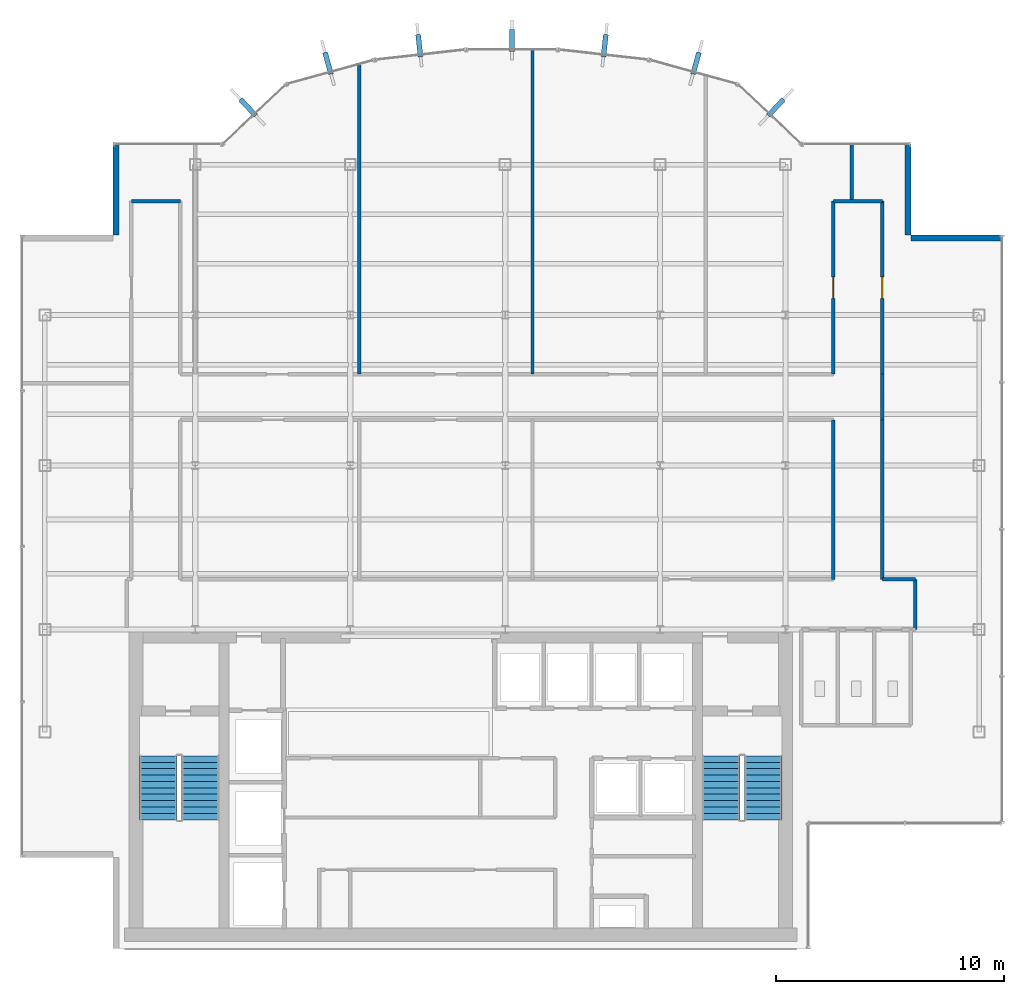
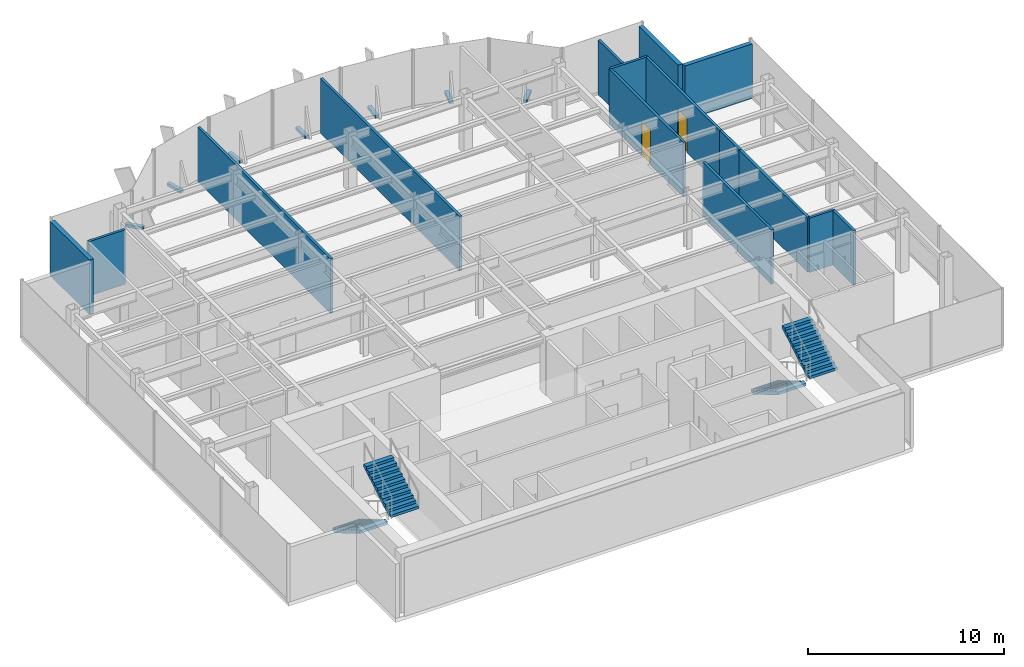
# One storey, part 19 of 22: 15 walls, 7 discrete accessories, 4 stair flights, 2 doors, 2 openings, 2 elements without a shape of their own.
"""IFC4 building model written with IfcOpenShell, lengths in metres."""

from ifc_helpers import new_model, si_unit, derived_unit, direction, frame, frame_2d, origin, origin_2d, place, context, subcontext, project, spatial, polyline, rectangle, outline, extrude, source, transform, mapped, material, layer, layer_set, type_object, element, fill, aggregate, save


model = new_model("IFC4")

# Units and contexts
model_context = context("Model", 3, precision=1e-05, world=origin(), true_north=direction((0.0, 1.0)))
body_context = subcontext(model_context, "Body", "Model", "MODEL_VIEW")
ifc_project = project(units=[si_unit("LENGTHUNIT", "METRE"), si_unit("AREAUNIT", "SQUARE_METRE"), si_unit("VOLUMEUNIT", "CUBIC_METRE"), si_unit("PLANEANGLEUNIT", "RADIAN"), si_unit("MASSUNIT", "GRAM", prefix="KILO"), derived_unit("THERMALTRANSMITTANCEUNIT", [(si_unit("POWERUNIT", "WATT"), 1), (si_unit("LENGTHUNIT", "METRE"), -2), (si_unit("THERMODYNAMICTEMPERATUREUNIT", "KELVIN"), -1)])], contexts=[model_context])

# Site, building, storey
site_placement = place(None, origin())
site = spatial("IfcSite", under=ifc_project, at=site_placement, CompositionType="ELEMENT")
building_placement = place(site_placement, origin())
building = spatial("IfcBuilding", under=site, at=building_placement, Name="Skarnbrae Concourse Arena and Tower", CompositionType="ELEMENT")
storey_placement = place(building_placement, frame((0.0, 0.0, 273.39990234375)))
storey = spatial("IfcBuildingStorey", under=building, at=storey_placement, Name="L71", CompositionType="ELEMENT", Elevation=273.39990234375)

# Walls
ifc_material_1 = material(Name="Precast concrete 40 MPa (C40/50)", Category="concrete")
ifc_layer_1 = layer(ifc_material_1, 0.25)
ifc_layer_set_1 = layer_set([ifc_layer_1], Name="Precast concrete 40 MPa (C40/50)")
wall_type_1 = type_object("IfcWallType", Name="WALL-EXT-SPANDREL-250", PredefinedType="STANDARD", material=ifc_layer_set_1)
shared_shape_1 = source(origin(), body_context, "Body", "SweptSolid", [
    extrude(rectangle(XDim=4.0, YDim=0.25, at=frame_2d((2.0, 0.0))), origin(), (0.0, 0.0, 1.0), 3.400146484375),
])
for number, where, z_axis, x_axis, name in (
    (1, (43.0, 31.175048828125, 0.0), (0.0, 0.0, 1.0), (-1.0, 0.0, 0.0), "L71 Notched corner insulated return wall 05"),
    (2, (38.875, 31.300048828125, 0.0), (0.0, 0.0, 1.0), (0.0, 1.0, 0.0), "L71 Notched corner insulated return wall 06"),
    (3, (4.125, 35.300048828125, 0.0), (0.0, 0.0, 1.0), (0.0, -1.0, 0.0), "L71 Notched corner insulated return wall 16"),
):
    element("IfcWall", number, at=place(storey_placement, frame(where, z_axis=z_axis, x_axis=x_axis)), inside=storey, type_object=wall_type_1, Name=name, PredefinedType="STANDARD", context=body_context, shape_type="MappedRepresentation", body=[
        mapped(shared_shape_1, transform((0.0, 0.0, 0.0))),
    ])
ifc_material_2 = material(Name="Gypsum board on cold-formed steel studs", Category="steel")
ifc_layer_2 = layer(ifc_material_2, 0.14990234375)
ifc_layer_set_2 = layer_set([ifc_layer_2], Name="Gypsum board on cold-formed steel studs")
wall_type_2 = type_object("IfcWallType", Name="WALL-PART-150-1HR", PredefinedType="PARTITIONING", material=ifc_layer_set_2)
shared_shape_2 = source(origin(), body_context, "Body", "SweptSolid", [
    extrude(rectangle(XDim=2.199951171875, YDim=0.14990234375, at=frame_2d((1.10009765625, 0.0))), origin(), (0.0, 0.0, 1.0), 3.400146484375),
])
wall_1_placement = place(storey_placement, frame((39.199951171875, 16.199951171875, 0.0), z_axis=(0.0, 0.0, 1.0), x_axis=(0.0, -1.0, 0.0)))
element("IfcWall", 4, at=wall_1_placement, inside=storey, type_object=wall_type_2, Name="L71 Interior partition wall W-L71-COR-15", PredefinedType="PARTITIONING", context=body_context, shape_type="MappedRepresentation", body=[
    mapped(shared_shape_2, transform((0.0, 0.0, 0.0))),
])

# Wall, opening, door
shared_shape_3 = source(origin(), body_context, "Body", "SweptSolid", [
    extrude(rectangle(XDim=7.60009765625, YDim=0.14990234375, at=frame_2d((3.800048828125, 0.0))), origin(), (0.0, 0.0, 1.0), 3.400146484375),
])
wall_2_placement = place(storey_placement, frame((35.60009765625, 25.199951171875, 0.0), z_axis=(0.0, 0.0, 1.0), x_axis=(0.0, 1.0, 0.0)))
wall_2 = element("IfcWall", 5, at=wall_2_placement, inside=storey, type_object=wall_type_2, Name="L71 Interior partition wall W-L71-COR-09", PredefinedType="PARTITIONING", context=body_context, shape_type="MappedRepresentation", body=[
    mapped(shared_shape_3, transform((0.0, 0.0, 0.0))),
])
opening_1_placement = place(wall_2_placement, frame((3.324951171875, 0.0, 0.0)))
opening_1 = element("IfcOpeningElement", 6, at=opening_1_placement, cuts=wall_2, Name="Opening DT-04", PredefinedType="OPENING", context=body_context, shape_type="SweptSolid", body=[
    extrude(rectangle(XDim=0.949951171875, YDim=2.14990234375, at=frame_2d((0.47509765625, 1.074951171875))), frame((0.0, 0.0849609375, 0.0), z_axis=(0.0, -1.0, 0.0), x_axis=(1.0, 0.0, 0.0)), (0.0, 0.0, 1.0), 0.169921875),
])
ifc_material_3 = material(Name="Steel CSA G40.21 350W", Category="steel")
door_type = type_object("IfcDoorType", Name="DOOR-INT-950-45M", OperationType="NOTDEFINED", PredefinedType="DOOR", material=ifc_material_3)
shared_shape_4 = source(origin(), body_context, "Body", "SweptSolid", [
    extrude(rectangle(XDim=0.949951171875, YDim=2.14990234375, at=frame_2d((0.47509765625, 1.074951171875))), frame((0.0, 0.02490234375, 0.0), z_axis=(0.0, -1.0, 0.0), x_axis=(1.0, 0.0, 0.0)), (0.0, 0.0, 1.0), 0.050048828125),
])
door_1_placement = place(opening_1_placement, origin())
door_1 = element("IfcDoor", 7, at=door_1_placement, inside=storey, type_object=door_type, Name="D-2168 L71 Suite Door 09", OperationType="SINGLE_SWING_LEFT", OverallHeight=2.14990234375, OverallWidth=0.949951171875, PredefinedType="DOOR", context=body_context, shape_type="MappedRepresentation", body=[
    mapped(shared_shape_4, transform((0.0, 0.0, 0.0))),
])
fill(opening_1, door_1)

wall_3_placement = place(storey_placement, frame((37.75, 32.800048828125, 0.0), z_axis=(0.0, 0.0, 1.0), x_axis=(0.0, -1.0, 0.0)))
wall_3 = element("IfcWall", 8, at=wall_3_placement, inside=storey, type_object=wall_type_2, Name="L71 Interior partition wall W-L71-COR-11", PredefinedType="PARTITIONING", context=body_context, shape_type="MappedRepresentation", body=[
    mapped(shared_shape_3, transform((0.0, 0.0, 0.0))),
])
opening_2_placement = place(wall_3_placement, frame((3.324951171875, 0.0, 0.0)))
opening_2 = element("IfcOpeningElement", 9, at=opening_2_placement, cuts=wall_3, Name="Opening DT-04", PredefinedType="OPENING", context=body_context, shape_type="SweptSolid", body=[
    extrude(rectangle(XDim=0.949951171875, YDim=2.14990234375, at=frame_2d((0.47509765625, 1.074951171875))), frame((0.0, 0.0849609375, 0.0), z_axis=(0.0, -1.0, 0.0), x_axis=(1.0, 0.0, 0.0)), (0.0, 0.0, 1.0), 0.169921875),
])
door_2_placement = place(opening_2_placement, origin())
door_2 = element("IfcDoor", 10, at=door_2_placement, inside=storey, type_object=door_type, Name="D-2169 L71 Suite Door 10", OperationType="SINGLE_SWING_RIGHT", OverallHeight=2.14990234375, OverallWidth=0.949951171875, PredefinedType="DOOR", context=body_context, shape_type="MappedRepresentation", body=[
    mapped(shared_shape_4, transform((0.0, 0.0, 0.0))),
])
fill(opening_2, door_2)

# Walls
shared_shape_5 = source(origin(), body_context, "Body", "SweptSolid", [
    extrude(rectangle(XDim=2.0, YDim=0.14990234375, at=frame_2d((1.0, 0.0))), origin(), (0.0, 0.0, 1.0), 3.400146484375),
])
wall_4_placement = place(storey_placement, frame((37.75, 25.199951171875, 0.0), z_axis=(0.0, 0.0, 1.0), x_axis=(0.0, -1.0, 0.0)))
element("IfcWall", 11, at=wall_4_placement, inside=storey, type_object=wall_type_2, Name="L71 Interior partition wall W-L71-COR-12", PredefinedType="PARTITIONING", context=body_context, shape_type="MappedRepresentation", body=[
    mapped(shared_shape_5, transform((0.0, 0.0, 0.0))),
])
shared_shape_6 = source(origin(), body_context, "Body", "SweptSolid", [
    extrude(rectangle(XDim=2.14990234375, YDim=0.14990234375, at=frame_2d((1.074951171875, 0.0))), origin(), (0.0, 0.0, 1.0), 3.400146484375),
])
for number, where, z_axis, x_axis, name in (
    (12, (4.800048828125, 32.800048828125, 0.0), (0.0, 0.0, 1.0), (1.0, 0.0, 0.0), "L71 Interior partition wall W-L71-COR-06"),
    (13, (35.60009765625, 32.800048828125, 0.0), (0.0, 0.0, 1.0), (1.0, 0.0, 0.0), "L71 Interior partition wall W-L71-COR-10"),
):
    element("IfcWall", number, at=place(storey_placement, frame(where, z_axis=z_axis, x_axis=x_axis)), inside=storey, type_object=wall_type_2, Name=name, PredefinedType="PARTITIONING", context=body_context, shape_type="MappedRepresentation", body=[
        mapped(shared_shape_6, transform((0.0, 0.0, 0.0))),
    ])
shared_shape_7 = source(origin(), body_context, "Body", "SweptSolid", [
    extrude(rectangle(XDim=1.449951171875, YDim=0.14990234375, at=frame_2d((0.72509765625, 0.0))), origin(), (0.0, 0.0, 1.0), 3.400146484375),
])
wall_5_placement = place(storey_placement, frame((37.75, 16.199951171875, 0.0), z_axis=(0.0, 0.0, 1.0), x_axis=(1.0, 0.0, 0.0)))
element("IfcWall", 14, at=wall_5_placement, inside=storey, type_object=wall_type_2, Name="L71 Interior partition wall W-L71-COR-14", PredefinedType="PARTITIONING", context=body_context, shape_type="MappedRepresentation", body=[
    mapped(shared_shape_7, transform((0.0, 0.0, 0.0))),
])
shared_shape_8 = source(origin(), body_context, "Body", "SweptSolid", [
    extrude(rectangle(XDim=7.0, YDim=0.14990234375, at=frame_2d((3.5, 0.0))), origin(), (0.0, 0.0, 1.0), 3.400146484375),
])
for number, where, z_axis, x_axis, name in (
    (15, (37.75, 23.199951171875, 0.0), (0.0, 0.0, 1.0), (0.0, -1.0, 0.0), "L71 Interior partition wall W-L71-COR-13"),
    (16, (35.60009765625, 16.199951171875, 0.0), (0.0, 0.0, 1.0), (0.0, 1.0, 0.0), "L71 Interior partition wall W-L71-COR-18"),
):
    element("IfcWall", number, at=place(storey_placement, frame(where, z_axis=z_axis, x_axis=x_axis)), inside=storey, type_object=wall_type_2, Name=name, PredefinedType="PARTITIONING", context=body_context, shape_type="MappedRepresentation", body=[
        mapped(shared_shape_8, transform((0.0, 0.0, 0.0))),
    ])
ifc_layer_3 = layer(ifc_material_2, 0.14990234375)
ifc_layer_set_3 = layer_set([ifc_layer_3], Name="Gypsum board on cold-formed steel studs")
wall_type_3 = type_object("IfcWallType", Name="WALL-PART-150", PredefinedType="PARTITIONING", material=ifc_layer_set_3)
shared_shape_9 = source(origin(), body_context, "Body", "SweptSolid", [
    extrude(rectangle(XDim=13.590576171875, YDim=0.14990234375, at=frame_2d((6.79541015625, 0.0))), origin(), (0.0, 0.0, 1.0), 3.400146484375),
])
wall_6_placement = place(storey_placement, frame((14.800048828125, 38.79052734375, 0.0), z_axis=(0.0, 0.0, 1.0), x_axis=(0.0, -1.0, 0.0)))
element("IfcWall", 17, at=wall_6_placement, inside=storey, type_object=wall_type_3, Name="L71 Interior partition wall W-L71-DEM-24", PredefinedType="PARTITIONING", context=body_context, shape_type="MappedRepresentation", body=[
    mapped(shared_shape_9, transform((0.0, 0.0, 0.0))),
])
shared_shape_10 = source(origin(), body_context, "Body", "SweptSolid", [
    extrude(rectangle(XDim=14.226806640625, YDim=0.14990234375, at=frame_2d((7.11328125, 0.0))), origin(), (0.0, 0.0, 1.0), 3.400146484375),
])
wall_7_placement = place(storey_placement, frame((22.39990234375, 39.4267578125, 0.0), z_axis=(0.0, 0.0, 1.0), x_axis=(0.0, -1.0, 0.0)))
element("IfcWall", 18, at=wall_7_placement, inside=storey, type_object=wall_type_3, Name="L71 Interior partition wall W-L71-DEM-26", PredefinedType="PARTITIONING", context=body_context, shape_type="MappedRepresentation", body=[
    mapped(shared_shape_10, transform((0.0, 0.0, 0.0))),
])
shared_shape_11 = source(origin(), body_context, "Body", "SweptSolid", [
    extrude(rectangle(XDim=2.47998046875, YDim=0.14990234375, at=frame_2d((1.239990234375, 0.0))), origin(), (0.0, 0.0, 1.0), 3.400146484375),
])
wall_8_placement = place(storey_placement, frame((36.39990234375, 35.280029296875, 0.0), z_axis=(0.0, 0.0, 1.0), x_axis=(0.0, -1.0, 0.0)))
element("IfcWall", 19, at=wall_8_placement, inside=storey, type_object=wall_type_3, Name="L71 Interior partition wall W-L71-DEM-28", PredefinedType="PARTITIONING", context=body_context, shape_type="MappedRepresentation", body=[
    mapped(shared_shape_11, transform((0.0, 0.0, 0.0))),
])

# Stair, stair flights
ifc_material_4 = material(Name="Concrete 40 MPa (C40/50)", Category="concrete")
stair_type = type_object("IfcStairType", Name="STAIR-DOGLEG-1650", PredefinedType="HALF_TURN_STAIR", material=ifc_material_4)
stair_1_placement = place(storey_placement, origin())
stair_1 = element("IfcStair", 20, at=stair_1_placement, inside=storey, type_object=stair_type, Name="L71 Protected Exit Stair ST-1", PredefinedType="HALF_TURN_STAIR")
stair_flight_type = type_object("IfcStairFlightType", Name="FLIGHT-STRAIGHT-1650", PredefinedType="STRAIGHT", material=ifc_material_4)
shared_shape_12 = source(origin(), body_context, "Body", "SweptSolid", [
    extrude(outline(polyline([(0.0, 0.0), (0.0, 0.166015625), (0.280029296875, 0.166015625), (0.280029296875, 0.331787109375), (0.56005859375, 0.331787109375), (0.56005859375, 0.497802734375), (0.840087890625, 0.497802734375), (0.840087890625, 0.66357421875), (1.1201171875, 0.66357421875), (1.1201171875, 0.82958984375), (1.39990234375, 0.82958984375), (1.39990234375, 0.995361328125), (1.679931640625, 0.995361328125), (1.679931640625, 1.161376953125), (1.9599609375, 1.161376953125), (1.9599609375, 1.327392578125), (2.239990234375, 1.327392578125), (2.239990234375, 1.4931640625), (2.52001953125, 1.4931640625), (2.52001953125, 1.6591796875), (2.800048828125, 1.6591796875), (2.800048828125, 1.824951171875), (2.800048828125, 1.48486328125), (0.2939453125, 0.0), (0.0, 0.0)])), frame((0.0, 0.824951171875, 0.0), z_axis=(0.0, -1.0, 0.0), x_axis=(1.0, 0.0, 0.0)), (0.0, 0.0, 1.0), 1.64990234375),
])
stair_flight_1_placement = place(storey_placement, frame((5.97509765625, 8.449951171875, 0.0), z_axis=(0.0, 0.0, 1.0), x_axis=(0.0, -1.0, 0.0)))
stair_flight_1 = element("IfcStairFlight", 21, at=stair_flight_1_placement, type_object=stair_flight_type, Name="ST-1 flight 1", NumberOfRisers=11, NumberOfTreads=10, PredefinedType="STRAIGHT", RiserHeight=0.165909091, TreadLength=0.28, context=body_context, shape_type="MappedRepresentation", body=[
    mapped(shared_shape_12, transform((0.0, 0.0, 0.0))),
])
stair_flight_2_placement = place(storey_placement, frame((7.824951171875, 5.64990234375, 1.8251953125), z_axis=(0.0, 0.0, 1.0), x_axis=(0.0, 1.0, 0.0)))
stair_flight_2 = element("IfcStairFlight", 22, at=stair_flight_2_placement, type_object=stair_flight_type, Name="ST-1 flight 2", NumberOfRisers=11, NumberOfTreads=10, PredefinedType="STRAIGHT", RiserHeight=0.165909091, TreadLength=0.28, context=body_context, shape_type="MappedRepresentation", body=[
    mapped(shared_shape_12, transform((0.0, 0.0, 0.0))),
])
aggregate(stair_1, [stair_flight_1, stair_flight_2])

stair_2_placement = place(storey_placement, origin())
stair_2 = element("IfcStair", 23, at=stair_2_placement, inside=storey, type_object=stair_type, Name="L71 Protected Exit Stair ST-2", PredefinedType="HALF_TURN_STAIR")
stair_flight_3_placement = place(storey_placement, frame((30.675048828125, 8.449951171875, 0.0), z_axis=(0.0, 0.0, 1.0), x_axis=(0.0, -1.0, 0.0)))
stair_flight_3 = element("IfcStairFlight", 24, at=stair_flight_3_placement, type_object=stair_flight_type, Name="ST-2 flight 1", NumberOfRisers=11, NumberOfTreads=10, PredefinedType="STRAIGHT", RiserHeight=0.165909091, TreadLength=0.28, context=body_context, shape_type="MappedRepresentation", body=[
    mapped(shared_shape_12, transform((0.0, 0.0, 0.0))),
])
stair_flight_4_placement = place(storey_placement, frame((32.52490234375, 5.64990234375, 1.8251953125), z_axis=(0.0, 0.0, 1.0), x_axis=(0.0, 1.0, 0.0)))
stair_flight_4 = element("IfcStairFlight", 25, at=stair_flight_4_placement, type_object=stair_flight_type, Name="ST-2 flight 2", NumberOfRisers=11, NumberOfTreads=10, PredefinedType="STRAIGHT", RiserHeight=0.165909091, TreadLength=0.28, context=body_context, shape_type="MappedRepresentation", body=[
    mapped(shared_shape_12, transform((0.0, 0.0, 0.0))),
])
aggregate(stair_2, [stair_flight_3, stair_flight_4])

# Discrete accessories
ifc_material_5 = material(Name="Bronze anodised aluminium 6063-T6", Category="aluminium")
discrete_accessory_type = type_object("IfcDiscreteAccessoryType", Name="ACC-FIN-BRACKET", PredefinedType="BRACKET", material=ifc_material_5)
shared_shape_13 = source(origin(), body_context, "Body", "SweptSolid", [
    extrude(rectangle(XDim=0.219970703125, YDim=0.97998046875, at=origin_2d()), origin(), (0.0, 0.0, 1.0), 0.179931640625),
])
for number, where, z_axis, x_axis, name in (
    (26, (33.0791015625, 36.904541015625, -0.02978515625), (0.0, 0.0, 1.0), (0.728131751529, -0.685437198009, 0.0), "L71 Bronze fin foot support bracket 08"),
    (27, (29.573974609375, 38.847412109375, -0.02978515625), (0.0, 0.0, 1.0), (0.964058316208, -0.265690728011, 0.0), "L71 Bronze fin foot support bracket 09"),
    (28, (25.566162109375, 39.619384765625, -0.02978515625), (0.0, 0.0, 1.0), (0.993769864509, -0.111451587667, 0.0), "L71 Bronze fin foot support bracket 10"),
    (29, (21.5, 39.8466796875, -0.02978515625), (0.0, 0.0, 1.0), (1.0, 0.0, 0.0), "L71 Bronze fin foot support bracket 11"),
    (30, (17.433837890625, 39.619384765625, -0.02978515625), (0.0, 0.0, 1.0), (0.993769864509, 0.111451587667, 0.0), "L71 Bronze fin foot support bracket 12"),
    (31, (13.426025390625, 38.847412109375, -0.02978515625), (0.0, 0.0, 1.0), (0.964058316208, 0.265690728011, 0.0), "L71 Bronze fin foot support bracket 13"),
    (32, (9.9208984375, 36.904541015625, -0.02978515625), (0.0, 0.0, 1.0), (0.728131751529, 0.685437198009, 0.0), "L71 Bronze fin foot support bracket 14"),
):
    element("IfcDiscreteAccessory", number, at=place(storey_placement, frame(where, z_axis=z_axis, x_axis=x_axis)), inside=storey, type_object=discrete_accessory_type, Name=name, PredefinedType="BRACKET", context=body_context, shape_type="MappedRepresentation", body=[
        mapped(shared_shape_13, transform((0.0, 0.0, 0.0))),
    ])

save(model, "model.ifc")
